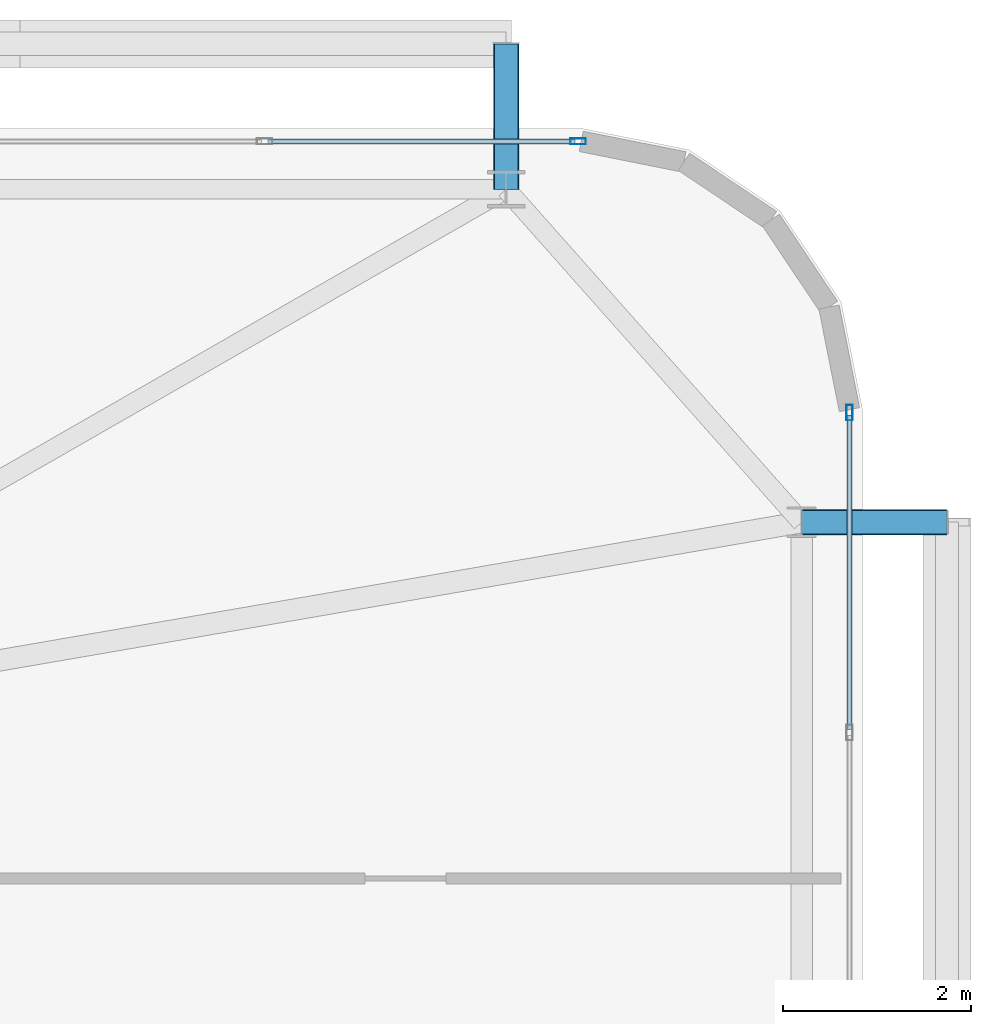
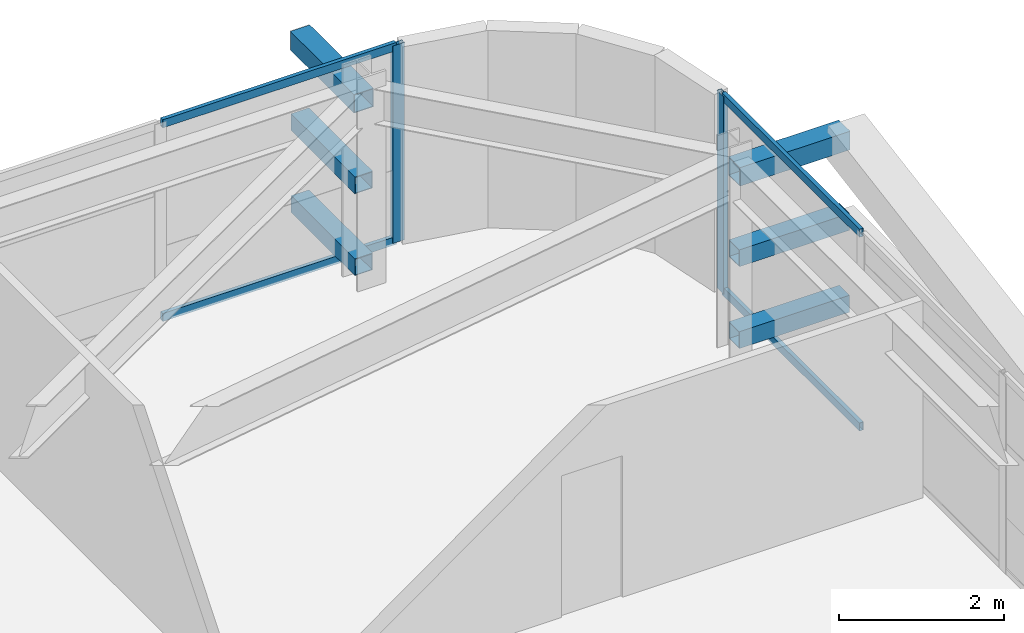
# One storey, part 41 of 58: 12 members, 2 elements without a shape of their own.
"""IFC4 building model written with IfcOpenShell, lengths in metres."""

from ifc_helpers import new_model, si_unit, direction, frame, origin, origin_2d, place, context, subcontext, project, spatial, hollow_rectangle, extrude, source, transform, mapped, material, layer, layer_set, material_profile, profile_set, type_object, element, aggregate, save


model = new_model("IFC4")

# Units and contexts
model_context = context("Model", 3, precision=1e-05, world=origin(), true_north=direction((0.0, 1.0)))
body_context = subcontext(model_context, "Body", "Model", "MODEL_VIEW")
ifc_project = project(units=[si_unit("LENGTHUNIT", "METRE"), si_unit("AREAUNIT", "SQUARE_METRE"), si_unit("VOLUMEUNIT", "CUBIC_METRE"), si_unit("PLANEANGLEUNIT", "RADIAN"), si_unit("MASSUNIT", "GRAM", prefix="KILO")], contexts=[model_context])

# Site, building, storey
site_placement = place(None, origin())
site = spatial("IfcSite", under=ifc_project, at=site_placement, CompositionType="ELEMENT")
building_placement = place(site_placement, origin())
building = spatial("IfcBuilding", under=site, at=building_placement, Name="Taldren Reach Tower", CompositionType="ELEMENT")
storey_placement = place(building_placement, frame((0.0, 0.0, 32.550048828125)))
storey = spatial("IfcBuildingStorey", under=building, at=storey_placement, Name="L09", CompositionType="ELEMENT", Elevation=32.550048828125)

# Members
ifc_material_1 = material(Name="Steel Gr 450 (C450L0)", Category="steel")
ifc_material_profile_1 = material_profile(ifc_material_1, hollow_rectangle(XDim=0.27490234375, YDim=0.27490234375, WallThickness=0.00927734375, at=origin_2d()), Name="275x275x9.3SHS")
ifc_profile_set_1 = profile_set([ifc_material_profile_1], Name="Steel Gr 450 (C450L0)")
member_type_1 = type_object("IfcMemberType", Name="MB-TIE273", PredefinedType="STRUT", material=ifc_profile_set_1)
shared_shape_1 = source(origin(), body_context, "Body", "SweptSolid", [
    extrude(hollow_rectangle(XDim=0.27490234375, YDim=0.27490234375, WallThickness=0.00927734375, at=origin_2d()), origin(), (0.0, 0.0, 1.0), 1.5498046875),
])
for number, where, z_axis, x_axis, name in (
    (1, (61.199951171875, 37.85009765625, 2.64990234375), (0.0, 1.0, 0.0), (-1.0, 0.0, 0.0), "Exoskeleton diaphragm tie strut B1-N6 L09"),
    (2, (64.35009765625, 34.300048828125, 2.64990234375), (1.0, 0.0, 0.0), (0.0, 1.0, 0.0), "Exoskeleton diaphragm tie strut B1-E3 L09"),
):
    element("IfcMember", number, at=place(storey_placement, frame(where, z_axis=z_axis, x_axis=x_axis)), inside=storey, type_object=member_type_1, Name=name, PredefinedType="STRUT", context=body_context, shape_type="MappedRepresentation", body=[
        mapped(shared_shape_1, transform((0.0, 0.0, 0.0), scale=1.0)),
    ])
ifc_material_2 = material(Name="Steel Gr 350 (C350L0)", Category="steel")
ifc_material_profile_2 = material_profile(ifc_material_2, hollow_rectangle(XDim=0.25, YDim=0.25, WallThickness=0.010009765625, at=origin_2d()), Name="250x250x10.0SHS")
ifc_profile_set_2 = profile_set([ifc_material_profile_2], Name="Steel Gr 350 (C350L0)")
member_type_2 = type_object("IfcMemberType", Name="MB-POST250", PredefinedType="POST", material=ifc_profile_set_2)
shared_shape_2 = source(origin(), body_context, "Body", "SweptSolid", [
    extrude(hollow_rectangle(XDim=0.25, YDim=0.25, WallThickness=0.010009765625, at=origin_2d()), origin(), (0.0, 0.0, 1.0), 1.5498046875),
])
for number, where, z_axis, x_axis, name in (
    (3, (61.199951171875, 37.85009765625, 0.219970703125), (0.0, 1.0, 0.0), (-1.0, 0.0, 0.0), "Exoskeleton base diaphragm tie strut B1-N6 L09"),
    (4, (64.35009765625, 34.300048828125, 0.219970703125), (1.0, 0.0, 0.0), (0.0, 1.0, 0.0), "Exoskeleton base diaphragm tie strut B1-E3 L09"),
    (5, (61.199951171875, 37.85009765625, 1.43505859375), (0.0, 1.0, 0.0), (-1.0, 0.0, 0.0), "Exoskeleton mid-tier diaphragm tie B1-N6 L09"),
    (6, (64.35009765625, 34.300048828125, 1.43505859375), (1.0, 0.0, 0.0), (0.0, 1.0, 0.0), "Exoskeleton mid-tier diaphragm tie B1-E3 L09"),
):
    element("IfcMember", number, at=place(storey_placement, frame(where, z_axis=z_axis, x_axis=x_axis)), inside=storey, type_object=member_type_2, Name=name, PredefinedType="POST", context=body_context, shape_type="MappedRepresentation", body=[
        mapped(shared_shape_2, transform((0.0, 0.0, 0.0), scale=1.0)),
    ])

# Curtain wall, member
ifc_material_3 = material(Name="Aluminium and Low-E Glass Unitised System", Category="aluminium")
ifc_layer = layer(ifc_material_3, 0.159912109375)
ifc_layer_set = layer_set([ifc_layer], Name="Aluminium and Low-E Glass Unitised System")
curtain_wall_type = type_object("IfcCurtainWallType", Name="CW-SYS-2", PredefinedType="NOTDEFINED", material=ifc_layer_set)
curtain_wall_1_placement = place(storey_placement, origin())
curtain_wall_1 = element("IfcCurtainWall", 7, at=curtain_wall_1_placement, inside=storey, type_object=curtain_wall_type, Name="Unitised curtain wall CW-L09-N", PredefinedType="NOTDEFINED")
ifc_material_4 = material(Name="Anodised Aluminium 6063-T6", Category="aluminium")
ifc_material_profile_3 = material_profile(ifc_material_4, hollow_rectangle(XDim=0.06494140625, YDim=0.1650390625, WallThickness=0.00390625, at=origin_2d()), Name="ALU-165x65x4RHS")
ifc_profile_set_3 = profile_set([ifc_material_profile_3], Name="Anodised Aluminium 6063-T6")
member_type_3 = type_object("IfcMemberType", Name="CW-MUL-165", PredefinedType="MULLION", material=ifc_profile_set_3)
shared_shape_3 = source(origin(), body_context, "Body", "SweptSolid", [
    extrude(hollow_rectangle(XDim=0.06494140625, YDim=0.1650390625, WallThickness=0.00390625, at=origin_2d()), origin(), (0.0, 0.0, 1.0), 2.929931640625),
])
member_1_placement = place(storey_placement, frame((61.967529296875, 38.360107421875, 0.0), z_axis=(0.0, 0.0, 1.0), x_axis=(0.0, -1.0, 0.0)))
member_1 = element("IfcMember", 8, at=member_1_placement, type_object=member_type_3, Name="CW-2 mullion 1", PredefinedType="MULLION", context=body_context, shape_type="MappedRepresentation", body=[
    mapped(shared_shape_3, transform((0.0, 0.0, 0.0), scale=1.0)),
])

curtain_wall_2_placement = place(storey_placement, origin())
curtain_wall_2 = element("IfcCurtainWall", 9, at=curtain_wall_2_placement, inside=storey, type_object=curtain_wall_type, Name="Unitised curtain wall CW-L09-E", PredefinedType="NOTDEFINED")
member_2_placement = place(storey_placement, frame((64.860107421875, 35.467529296875, 0.0), z_axis=(0.0, 0.0, 1.0), x_axis=(-1.0, 0.0, 0.0)))
member_2 = element("IfcMember", 10, at=member_2_placement, type_object=member_type_3, Name="CW-2 mullion 10", PredefinedType="MULLION", context=body_context, shape_type="MappedRepresentation", body=[
    mapped(shared_shape_3, transform((0.0, 0.0, 0.0), scale=1.0)),
])

# Member
ifc_material_profile_4 = material_profile(ifc_material_4, hollow_rectangle(XDim=0.054931640625, YDim=0.1201171875, WallThickness=0.0029296875, at=origin_2d()), Name="ALU-120x55x3RHS")
ifc_profile_set_4 = profile_set([ifc_material_profile_4], Name="Anodised Aluminium 6063-T6")
member_type_4 = type_object("IfcMemberType", Name="CW-TRN-135", PredefinedType="USERDEFINED", material=ifc_profile_set_4)
shared_shape_4 = source(origin(), body_context, "Body", "SweptSolid", [
    extrude(hollow_rectangle(XDim=0.054931640625, YDim=0.1201171875, WallThickness=0.0029296875, at=origin_2d()), origin(), (0.0, 0.0, 1.0), 3.277587890625),
])
member_3_placement = place(storey_placement, frame((61.93505859375, 38.360107421875, 0.02734375), z_axis=(-1.0, 0.0, 0.0), x_axis=(0.0, -1.0, 0.0)))
member_3 = element("IfcMember", 11, at=member_3_placement, type_object=member_type_4, Name="CW-2 transom 1.1", ObjectType="TRANSOM", PredefinedType="USERDEFINED", context=body_context, shape_type="MappedRepresentation", body=[
    mapped(shared_shape_4, transform((0.0, 0.0, 0.0), scale=1.0)),
])

member_4_placement = place(storey_placement, frame((61.93505859375, 38.360107421875, 2.90234375), z_axis=(-1.0, 0.0, 0.0), x_axis=(0.0, -1.0, 0.0)))
member_4 = element("IfcMember", 12, at=member_4_placement, type_object=member_type_4, Name="CW-2 transom 1.2", ObjectType="TRANSOM", PredefinedType="USERDEFINED", context=body_context, shape_type="MappedRepresentation", body=[
    mapped(shared_shape_4, transform((0.0, 0.0, 0.0), scale=1.0)),
])

aggregate(curtain_wall_1, [member_1, member_3, member_4])

shared_shape_5 = source(origin(), body_context, "Body", "SweptSolid", [
    extrude(hollow_rectangle(XDim=0.054931640625, YDim=0.1201171875, WallThickness=0.0029296875, at=origin_2d()), origin(), (0.0, 0.0, 1.0), 3.346923828125),
])
member_5_placement = place(storey_placement, frame((64.860107421875, 32.088134765625, 0.02734375), z_axis=(0.0, 1.0, 0.0), x_axis=(-1.0, 0.0, 0.0)))
member_5 = element("IfcMember", 13, at=member_5_placement, type_object=member_type_4, Name="CW-2 transom 9.1", ObjectType="TRANSOM", PredefinedType="USERDEFINED", context=body_context, shape_type="MappedRepresentation", body=[
    mapped(shared_shape_5, transform((0.0, 0.0, 0.0), scale=1.0)),
])

member_6_placement = place(storey_placement, frame((64.860107421875, 32.088134765625, 2.90234375), z_axis=(0.0, 1.0, 0.0), x_axis=(-1.0, 0.0, 0.0)))
member_6 = element("IfcMember", 14, at=member_6_placement, type_object=member_type_4, Name="CW-2 transom 9.2", ObjectType="TRANSOM", PredefinedType="USERDEFINED", context=body_context, shape_type="MappedRepresentation", body=[
    mapped(shared_shape_5, transform((0.0, 0.0, 0.0), scale=1.0)),
])

aggregate(curtain_wall_2, [member_2, member_5, member_6])

save(model, "model.ifc")
